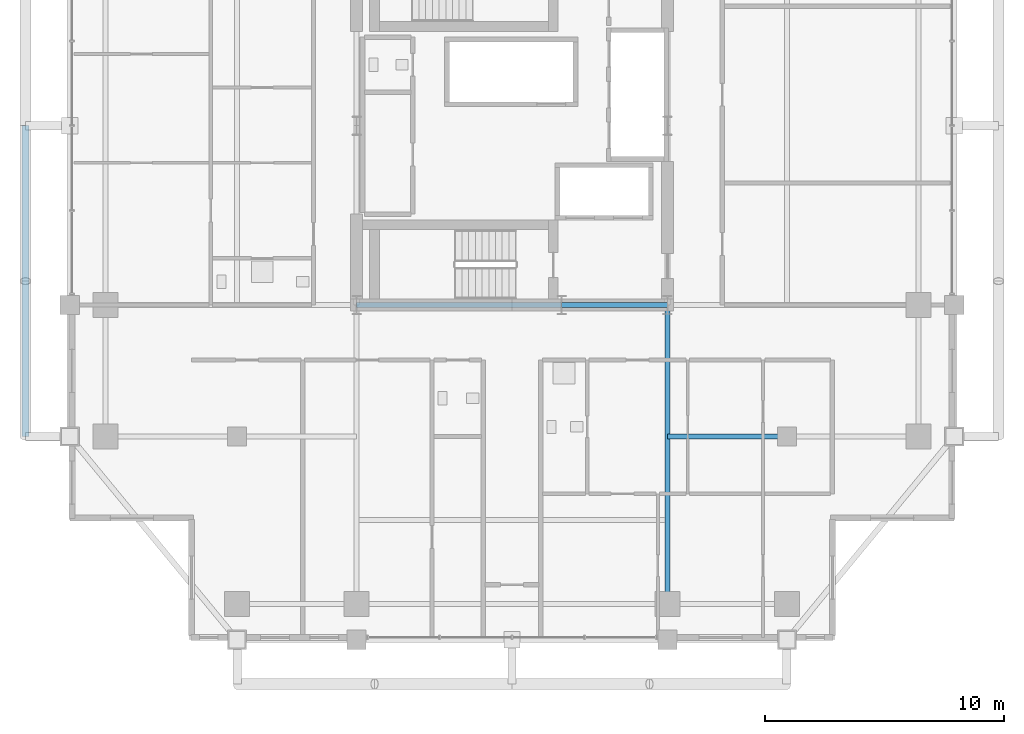
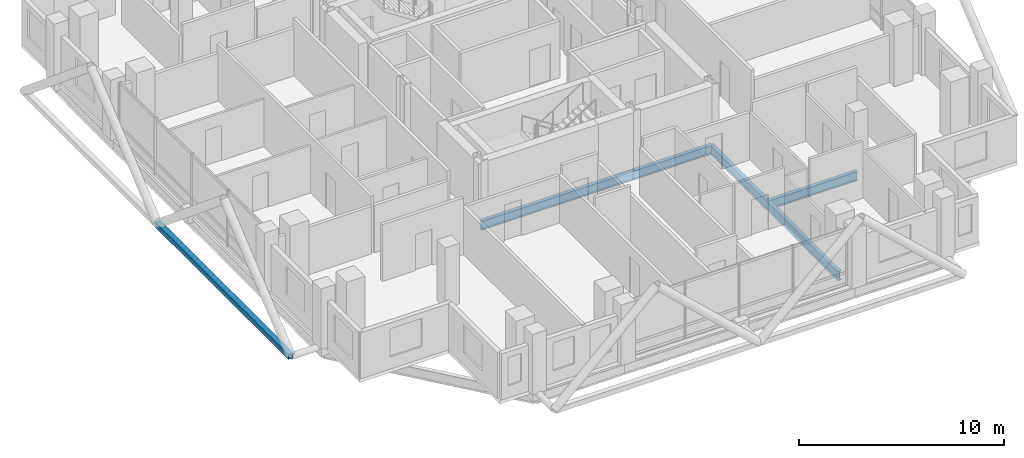
# One storey, part 6 of 26: 4 beams, 1 member.
"""IFC4 building model written with IfcOpenShell, lengths in metres."""

from ifc_helpers import new_model, si_unit, direction, frame, origin, origin_2d, place, context, subcontext, project, spatial, hollow_rectangle, i_section, extrude, material, material_profile, profile_set, type_object, element, save


model = new_model("IFC4")

# Units and contexts
model_context = context("Model", 3, precision=1e-05, world=origin(), true_north=direction((0.0, 1.0)))
body_context = subcontext(model_context, "Body", "Model", "MODEL_VIEW")
ifc_project = project(units=[si_unit("LENGTHUNIT", "METRE"), si_unit("AREAUNIT", "SQUARE_METRE"), si_unit("VOLUMEUNIT", "CUBIC_METRE"), si_unit("PLANEANGLEUNIT", "RADIAN"), si_unit("MASSUNIT", "GRAM", prefix="KILO")], contexts=[model_context])

# Site, building, storey
site_placement = place(None, origin())
site = spatial("IfcSite", under=ifc_project, at=site_placement, CompositionType="ELEMENT")
building_placement = place(site_placement, origin())
building = spatial("IfcBuilding", under=site, at=building_placement, Name="Barlavira Tower and Art Museum", CompositionType="ELEMENT")
storey_placement = place(building_placement, frame((0.0, 0.0, 187.199951171875)))
storey = spatial("IfcBuildingStorey", under=building, at=storey_placement, Name="L48", CompositionType="ELEMENT", Elevation=187.199951171875)

# Member
ifc_material = material(Name="Steel S355", Category="steel")
ifc_material_profile_1 = material_profile(ifc_material, hollow_rectangle(XDim=0.300048828125, YDim=0.300048828125, WallThickness=0.01611328125, at=origin_2d()), Name="SHS 300x300x16.0")
ifc_profile_set_1 = profile_set([ifc_material_profile_1], Name="Steel S355")
member_type = type_object("IfcMemberType", Name="Pale-Metal Upper Ring Strut SHS 300x300x16 Steel S355", PredefinedType="STRUT", material=ifc_profile_set_1)
member_placement = place(storey_placement, frame((-20.35009765625, -13.0, -0.119873046875), z_axis=(0.0, 1.0, 0.0), x_axis=(-1.0, 0.0, 0.0)))
element("IfcMember", 1, at=member_placement, inside=storey, type_object=member_type, Name="L48 Exoskeleton Ring Strut W", PredefinedType="STRUT", context=body_context, shape_type="SweptSolid", body=[
    extrude(hollow_rectangle(XDim=0.300048828125, YDim=0.300048828125, WallThickness=0.01611328125, at=origin_2d()), origin(), (0.0, 0.0, 1.0), 13.0),
])

# Beams
ifc_material_profile_2 = material_profile(ifc_material, i_section(OverallWidth=0.2109375, OverallDepth=0.5390625, WebThickness=0.01171875, FlangeThickness=0.018798828125, at=origin_2d()), Name="W530x109.0")
ifc_profile_set_2 = profile_set([ifc_material_profile_2], Name="Steel S355")
beam_type = type_object("IfcBeamType", Name="Zone 3-4 Primary Floor Girder W530x109 Steel S355", PredefinedType="BEAM", material=ifc_profile_set_2)
beam_1_placement = place(storey_placement, frame((-6.5, -7.5, -0.489501953125), z_axis=(1.0, 0.0, 0.0), x_axis=(0.0, 1.0, 0.0)))
element("IfcBeam", 2, at=beam_1_placement, inside=storey, type_object=beam_type, Name="L48 Girder C-S1", PredefinedType="BEAM", context=body_context, shape_type="SweptSolid", body=[
    extrude(i_section(OverallWidth=0.2109375, OverallDepth=0.5390625, WebThickness=0.01171875, FlangeThickness=0.018798828125, at=origin_2d()), origin(), (0.0, 0.0, 1.0), 8.580078125),
])
beam_2_placement = place(storey_placement, frame((2.080078125, -7.5, -0.489501953125), z_axis=(1.0, 0.0, 0.0), x_axis=(0.0, 1.0, 0.0)))
element("IfcBeam", 3, at=beam_2_placement, inside=storey, type_object=beam_type, Name="L48 Girder C-S2", PredefinedType="BEAM", context=body_context, shape_type="SweptSolid", body=[
    extrude(i_section(OverallWidth=0.2109375, OverallDepth=0.5390625, WebThickness=0.01171875, FlangeThickness=0.018798828125, at=origin_2d()), origin(), (0.0, 0.0, 1.0), 4.419921875),
])
beam_3_placement = place(storey_placement, frame((6.5, -20.0, -0.489501953125), z_axis=(0.0, 1.0, 0.0), x_axis=(-1.0, 0.0, 0.0)))
element("IfcBeam", 4, at=beam_3_placement, inside=storey, type_object=beam_type, Name="L48 Girder R-S2", PredefinedType="BEAM", context=body_context, shape_type="SweptSolid", body=[
    extrude(i_section(OverallWidth=0.2109375, OverallDepth=0.5390625, WebThickness=0.01171875, FlangeThickness=0.018798828125, at=origin_2d()), origin(), (0.0, 0.0, 1.0), 12.5),
])
beam_4_placement = place(storey_placement, frame((6.5, -13.0, -0.489501953125), z_axis=(1.0, 0.0, 0.0), x_axis=(0.0, 1.0, 0.0)))
element("IfcBeam", 5, at=beam_4_placement, inside=storey, type_object=beam_type, Name="L48 Girder I-S3", PredefinedType="BEAM", context=body_context, shape_type="SweptSolid", body=[
    extrude(i_section(OverallWidth=0.2109375, OverallDepth=0.5390625, WebThickness=0.01171875, FlangeThickness=0.018798828125, at=origin_2d()), origin(), (0.0, 0.0, 1.0), 5.0),
])

save(model, "model.ifc")
